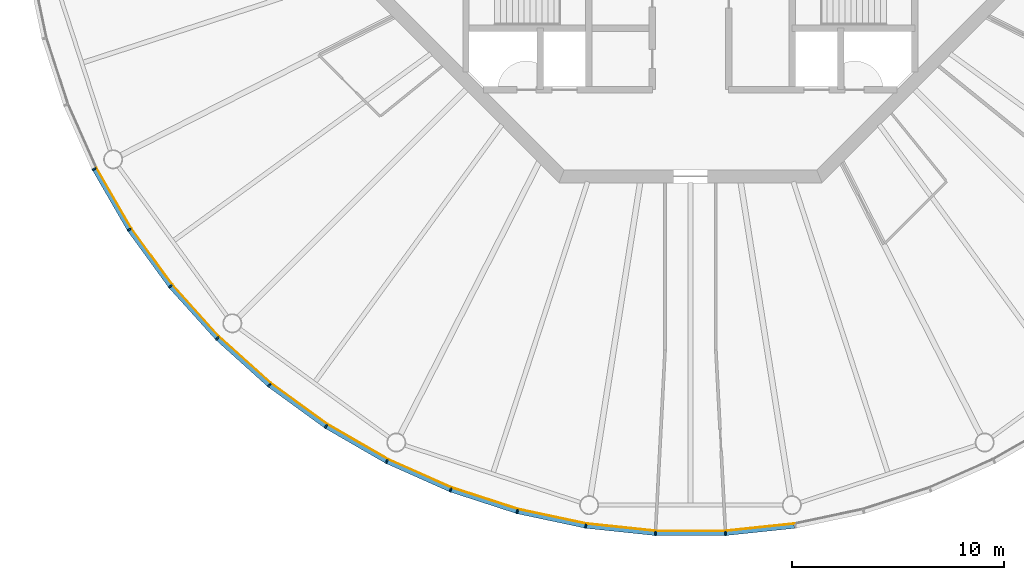
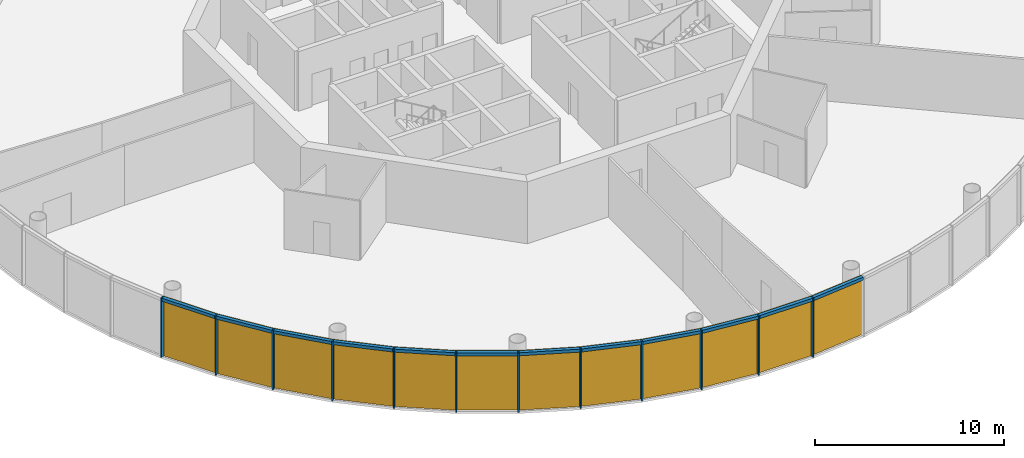
# One storey, part 7 of 13: 24 members, 4 curtain walls.
"""IFC4 building model written with IfcOpenShell, lengths in metres."""

import ifcopenshell
import ifcopenshell.guid

model = None  # the IFC model being written
_history = None  # IfcOwnerHistory: only IFC2X3 demands one
_inside = {}  # id of a spatial element -> (the spatial element, [elements in it])
_under = {}  # id of a project, library or spatial element -> (it, [spatial elements below it])
_declared = {}  # id of a project -> (the project, [libraries it declares])
_typed = {}  # id of a type object -> (the type object, [elements of that type])
_made_of = {}  # id of a material, layer set ... -> (it, [elements and type objects made of it])


def new_model(schema):
    """Start an empty IFC model of exactly this schema.

    Asked for "IFC4X3", IfcOpenShell would pick the latest addendum, in which some entities
    have other attributes; the version numbers below select the first issue.
    IFC2X3 requires an IfcOwnerHistory on every rooted entity: one is made here for all.
    """
    global model, _history
    if schema == "IFC4X3":
        model = ifcopenshell.file(schema_version=(4, 3, 0, 0))
    else:
        model = ifcopenshell.file(schema=schema)
    _inside.clear()
    _under.clear()
    _declared.clear()
    _typed.clear()
    _made_of.clear()
    _history = None
    if model.schema == "IFC2X3":
        org = make("IfcOrganization", Name="unknown")
        user = make(
            "IfcPersonAndOrganization",
            ThePerson=make("IfcPerson", FamilyName="unknown"),
            TheOrganization=org,
        )
        app = make(
            "IfcApplication",
            ApplicationDeveloper=org,
            Version="unknown",
            ApplicationFullName="unknown",
            ApplicationIdentifier="unknown",
        )
        _history = make(
            "IfcOwnerHistory",
            OwningUser=user,
            OwningApplication=app,
            ChangeAction="ADDED",
            CreationDate=0,
        )
    return model


def make(cls, **values):
    """One entity of the class cls with the attributes given. An attribute that is None is left unset."""
    return model.create_entity(
        cls, **{name: value for name, value in values.items() if value is not None}
    )


def rooted(cls, **values):
    """An entity with a GlobalId (a new one), such as an element, a storey or a relation."""
    return make(cls, GlobalId=ifcopenshell.guid.new(), OwnerHistory=_history, **values)


def si_unit(unit_type, name, prefix=None):
    """IfcSIUnit, for example si_unit("LENGTHUNIT", "METRE", prefix="MILLI")."""
    return make("IfcSIUnit", UnitType=unit_type, Prefix=prefix, Name=name)


def assignment(units):
    """IfcUnitAssignment: the units of a project."""
    return None if units is None else make("IfcUnitAssignment", Units=units)


def point(xyz):
    """IfcCartesianPoint."""
    return None if xyz is None else make("IfcCartesianPoint", Coordinates=xyz)


def direction(xyz):
    """IfcDirection."""
    return None if xyz is None else make("IfcDirection", DirectionRatios=xyz)


def frame(location, z_axis=None, x_axis=None):
    """IfcAxis2Placement3D, a coordinate frame: its origin and axes. An axis left out is left unset."""
    return make(
        "IfcAxis2Placement3D",
        Location=point(location),
        Axis=direction(z_axis),
        RefDirection=direction(x_axis),
    )


def frame_2d(location, x_axis=None):
    """IfcAxis2Placement2D, a coordinate frame in the plane: its origin and x axis."""
    return make(
        "IfcAxis2Placement2D", Location=point(location), RefDirection=direction(x_axis)
    )


def origin():
    """The frame at (0, 0, 0) with its axes left unset."""
    return frame((0.0, 0.0, 0.0))


def origin_2d():
    """The frame at (0, 0) in the plane with its x axis left unset."""
    return frame_2d((0.0, 0.0))


def place(relative_to, where):
    """IfcLocalPlacement: puts the frame where relative to a parent placement (None: the world)."""
    return make(
        "IfcLocalPlacement", PlacementRelTo=relative_to, RelativePlacement=where
    )


def context(
    kind, dimensions, precision=None, world=None, true_north=None, identifier=None
):
    """IfcGeometricRepresentationContext, for example the 3D "Model" context."""
    return make(
        "IfcGeometricRepresentationContext",
        ContextIdentifier=identifier,
        ContextType=kind,
        CoordinateSpaceDimension=dimensions,
        Precision=precision,
        WorldCoordinateSystem=world,
        TrueNorth=true_north,
    )


def subcontext(parent, identifier, kind, view, scale=None):
    """IfcGeometricRepresentationSubContext, for example "Body" below "Model"."""
    return make(
        "IfcGeometricRepresentationSubContext",
        ContextIdentifier=identifier,
        ContextType=kind,
        ParentContext=parent,
        TargetScale=scale,
        TargetView=view,
    )


def project(units=None, contexts=None):
    """IfcProject with its units and contexts."""
    return rooted(
        "IfcProject",
        Name="project",
        RepresentationContexts=contexts,
        UnitsInContext=assignment(units),
    )


def spatial(cls, under=None, at=None, **own):
    """A site, building, storey or space (cls), placed at a placement, below another one or the project."""
    s = rooted(cls, ObjectPlacement=at, **own)
    if under is not None:
        _under.setdefault(under.id(), (under, []))[1].append(s)
    return s


def polyline(points):
    """IfcPolyline through the points."""
    return make("IfcPolyline", Points=[point(p) for p in points])


def profile(cls, at=None, kind="AREA", **sizes):
    """A parametric profile (cls). Its sizes go by their IFC names, for example OverallWidth=200.0."""
    return make(cls, ProfileType=kind, Position=at, **sizes)


def rectangle(**sizes):
    """IfcRectangleProfileDef."""
    return profile("IfcRectangleProfileDef", **sizes)


def outline(outer, holes=None, kind="AREA"):
    """IfcArbitraryClosedProfileDef: a profile drawn as a closed curve; with holes, ...WithVoids."""
    if holes is None:
        return make("IfcArbitraryClosedProfileDef", ProfileType=kind, OuterCurve=outer)
    return make(
        "IfcArbitraryProfileDefWithVoids",
        ProfileType=kind,
        OuterCurve=outer,
        InnerCurves=holes,
    )


def extrude(swept, where, along, depth):
    """IfcExtrudedAreaSolid: the profile swept, set in the frame where, extruded along a direction by depth."""
    return make(
        "IfcExtrudedAreaSolid",
        SweptArea=swept,
        Position=where,
        ExtrudedDirection=direction(along),
        Depth=depth,
    )


def shape(context_of_items, identifier, shape_type, items):
    """IfcShapeRepresentation: the items that make up one representation, for example the "Body"."""
    return make(
        "IfcShapeRepresentation",
        ContextOfItems=context_of_items,
        RepresentationIdentifier=identifier,
        RepresentationType=shape_type,
        Items=items,
    )


def material(Name=None, Category=None):
    """IfcMaterial."""
    return make("IfcMaterial", Name=Name, Category=Category)


def layer(
    of_material, thickness, ventilated=None, Name=None, Category=None, Priority=None
):
    """IfcMaterialLayer: one layer of a wall or slab, of a material (None: an air gap)."""
    return make(
        "IfcMaterialLayer",
        Material=of_material,
        LayerThickness=thickness,
        IsVentilated=ventilated,
        Name=Name,
        Category=Category,
        Priority=Priority,
    )


def layer_set(layers, Name=None):
    """IfcMaterialLayerSet."""
    return make("IfcMaterialLayerSet", MaterialLayers=layers, LayerSetName=Name)


def material_profile(
    of_material, cross_section, Name=None, Category=None, Priority=None
):
    """IfcMaterialProfile: a cross section and its material."""
    return make(
        "IfcMaterialProfile",
        Name=Name,
        Material=of_material,
        Profile=cross_section,
        Priority=Priority,
        Category=Category,
    )


def profile_set(profiles, Name=None, composite=None):
    """IfcMaterialProfileSet."""
    return make(
        "IfcMaterialProfileSet",
        Name=Name,
        MaterialProfiles=profiles,
        CompositeProfile=composite,
    )


def made_of(thing, what):
    """Note that an element or type object is made of a material, layer set ...; save() writes the relation."""
    if what is not None:
        _made_of.setdefault(what.id(), (what, []))[1].append(thing)
    return thing


def type_object(cls, material=None, **own):
    """A type object (cls), such as IfcWallType, which elements share."""
    return made_of(rooted(cls, **own), material)


def element(
    cls,
    number,
    at=None,
    inside=None,
    cuts=None,
    type_object=None,
    material=None,
    context=None,
    identifier="Body",
    shape_type=None,
    held_by="IfcProductDefinitionShape",
    body=None,
    shapes=None,
    **own,
):
    """One element of the class cls, such as IfcWall. Its Tag is "e" and its number.

    at: its placement. inside: the storey or other place that contains it. cuts: it is an
    opening in that element (IfcRelVoidsElement). A single representation is given by context,
    identifier, shape_type and body (its items); several are given by shapes. held_by: the class
    of the entity that holds the representations. save() writes the other relations.
    """
    e = rooted(cls, Tag="e%d" % number, ObjectPlacement=at, **own)
    if body is not None:
        shapes = [shape(context, identifier, shape_type, body)]
    if shapes is not None:
        e.Representation = make(held_by, Representations=shapes)
    if inside is not None:
        _inside.setdefault(inside.id(), (inside, []))[1].append(e)
    if cuts is not None:
        rooted(
            "IfcRelVoidsElement", RelatingBuildingElement=cuts, RelatedOpeningElement=e
        )
    if type_object is not None:
        _typed.setdefault(type_object.id(), (type_object, []))[1].append(e)
    return made_of(e, material)


def aggregate(whole, parts):
    """IfcRelAggregates: a whole, such as a stair, and the parts it consists of."""
    return rooted("IfcRelAggregates", RelatingObject=whole, RelatedObjects=parts)


def save(model, path):
    """Write the relations noted so far, then the file.

    IfcRelAggregates (storeys below a building ...), IfcRelContainedInSpatialStructure (elements
    in a storey), IfcRelDefinesByType, IfcRelAssociatesMaterial and IfcRelDeclares: one each for
    every whole, place, type object, material and project.
    """
    for whole, parts in _under.values():
        aggregate(whole, parts)
    for where, things in _inside.values():
        rooted(
            "IfcRelContainedInSpatialStructure",
            RelatedElements=things,
            RelatingStructure=where,
        )
    for kind, things in _typed.values():
        rooted("IfcRelDefinesByType", RelatedObjects=things, RelatingType=kind)
    for what, things in _made_of.values():
        rooted("IfcRelAssociatesMaterial", RelatedObjects=things, RelatingMaterial=what)
    for by, libraries in _declared.values():
        rooted("IfcRelDeclares", RelatingContext=by, RelatedDefinitions=libraries)
    model.write(path)


model = new_model("IFC4")

# Units and contexts
model_context = context("Model", 3, precision=1e-05, world=origin(), true_north=direction((0.0, 1.0)))
body_context = subcontext(model_context, "Body", "Model", "MODEL_VIEW")
ifc_project = project(units=[si_unit("LENGTHUNIT", "METRE"), si_unit("AREAUNIT", "SQUARE_METRE"), si_unit("VOLUMEUNIT", "CUBIC_METRE"), si_unit("PLANEANGLEUNIT", "RADIAN"), si_unit("MASSUNIT", "GRAM", prefix="KILO")], contexts=[model_context])

# Member
ifc_material_1 = material(Name="Anodised aluminium", Category="aluminium")
ifc_material_profile_1 = material_profile(ifc_material_1, rectangle(XDim=0.070068359375, YDim=0.205078125, at=origin_2d()), Name="Mullion 70 x 205 mm anodised aluminium")
ifc_profile_set_1 = profile_set([ifc_material_profile_1], Name="Anodised aluminium")
member_type_1 = type_object("IfcMemberType", Name="Mullion 70 x 205 mm anodised aluminium", PredefinedType="MULLION", material=ifc_profile_set_1)
site_placement = place(None, origin())
building_placement = place(site_placement, origin())
storey_placement = place(building_placement, frame((0.0, 0.0, 348.0)))
member_1_placement = place(storey_placement, frame((61.842041015625, 65.65283203125, 0.0), z_axis=(0.0, 0.0, 1.0), x_axis=(0.45399049974, -0.891006524188, 0.0)))
member_1 = element("IfcMember", 1, at=member_1_placement, type_object=member_type_1, Name="MULLION L80-33", PredefinedType="MULLION", context=body_context, shape_type="SweptSolid", body=[
    extrude(rectangle(XDim=0.070068359375, YDim=0.205078125, at=origin_2d()), origin(), (0.0, 0.0, 1.0), 3.85009765625),
])

member_2_placement = place(storey_placement, frame((63.495849609375, 62.7880859375, 0.0), z_axis=(0.0, 0.0, 1.0), x_axis=(0.544639035015, -0.838670567945, 0.0)))
member_2 = element("IfcMember", 2, at=member_2_placement, type_object=member_type_1, Name="MULLION L80-34", PredefinedType="MULLION", context=body_context, shape_type="SweptSolid", body=[
    extrude(rectangle(XDim=0.070068359375, YDim=0.205078125, at=origin_2d()), origin(), (0.0, 0.0, 1.0), 3.85009765625),
])

member_3_placement = place(storey_placement, frame((65.440185546875, 60.11181640625, 0.0), z_axis=(0.0, 0.0, 1.0), x_axis=(0.62932039105, -0.777145961457, 0.0)))
member_3 = element("IfcMember", 3, at=member_3_placement, type_object=member_type_1, Name="MULLION L80-35", PredefinedType="MULLION", context=body_context, shape_type="SweptSolid", body=[
    extrude(rectangle(XDim=0.070068359375, YDim=0.205078125, at=origin_2d()), origin(), (0.0, 0.0, 1.0), 3.85009765625),
])

member_4_placement = place(storey_placement, frame((67.653564453125, 57.653564453125, 0.0), z_axis=(0.0, 0.0, 1.0), x_axis=(0.707106781187, -0.707106781187, 0.0)))
member_4 = element("IfcMember", 4, at=member_4_placement, type_object=member_type_1, Name="MULLION L80-36", PredefinedType="MULLION", context=body_context, shape_type="SweptSolid", body=[
    extrude(rectangle(XDim=0.070068359375, YDim=0.205078125, at=origin_2d()), origin(), (0.0, 0.0, 1.0), 3.85009765625),
])

member_5_placement = place(storey_placement, frame((70.11181640625, 55.440185546875, 0.0), z_axis=(0.0, 0.0, 1.0), x_axis=(0.777145961457, -0.62932039105, 0.0)))
member_5 = element("IfcMember", 5, at=member_5_placement, type_object=member_type_1, Name="MULLION L80-37", PredefinedType="MULLION", context=body_context, shape_type="SweptSolid", body=[
    extrude(rectangle(XDim=0.070068359375, YDim=0.205078125, at=origin_2d()), origin(), (0.0, 0.0, 1.0), 3.85009765625),
])

member_6_placement = place(storey_placement, frame((72.7880859375, 53.495849609375, 0.0), z_axis=(0.0, 0.0, 1.0), x_axis=(0.838670567945, -0.544639035015, 0.0)))
member_6 = element("IfcMember", 6, at=member_6_placement, type_object=member_type_1, Name="MULLION L80-38", PredefinedType="MULLION", context=body_context, shape_type="SweptSolid", body=[
    extrude(rectangle(XDim=0.070068359375, YDim=0.205078125, at=origin_2d()), origin(), (0.0, 0.0, 1.0), 3.85009765625),
])

member_7_placement = place(storey_placement, frame((75.65283203125, 51.842041015625, 0.0), z_axis=(0.0, 0.0, 1.0), x_axis=(0.891006524188, -0.45399049974, 0.0)))
member_7 = element("IfcMember", 7, at=member_7_placement, type_object=member_type_1, Name="MULLION L80-39", PredefinedType="MULLION", context=body_context, shape_type="SweptSolid", body=[
    extrude(rectangle(XDim=0.070068359375, YDim=0.205078125, at=origin_2d()), origin(), (0.0, 0.0, 1.0), 3.85009765625),
])

member_8_placement = place(storey_placement, frame((78.674560546875, 50.49658203125, 0.0), z_axis=(0.0, 0.0, 1.0), x_axis=(0.933580426497, -0.358367949545, 0.0)))
member_8 = element("IfcMember", 8, at=member_8_placement, type_object=member_type_1, Name="MULLION L80-40", PredefinedType="MULLION", context=body_context, shape_type="SweptSolid", body=[
    extrude(rectangle(XDim=0.070068359375, YDim=0.205078125, at=origin_2d()), origin(), (0.0, 0.0, 1.0), 3.85009765625),
])

member_9_placement = place(storey_placement, frame((81.820556640625, 49.474365234375, 0.0), z_axis=(0.0, 0.0, 1.0), x_axis=(0.965925826289, -0.258819045103, 0.0)))
member_9 = element("IfcMember", 9, at=member_9_placement, type_object=member_type_1, Name="MULLION L80-41", PredefinedType="MULLION", context=body_context, shape_type="SweptSolid", body=[
    extrude(rectangle(XDim=0.070068359375, YDim=0.205078125, at=origin_2d()), origin(), (0.0, 0.0, 1.0), 3.85009765625),
])

member_10_placement = place(storey_placement, frame((85.056396484375, 48.78662109375, 0.0), z_axis=(0.0, 0.0, 1.0), x_axis=(0.987688340595, -0.15643446504, 0.0)))
member_10 = element("IfcMember", 10, at=member_10_placement, type_object=member_type_1, Name="MULLION L80-42", PredefinedType="MULLION", context=body_context, shape_type="SweptSolid", body=[
    extrude(rectangle(XDim=0.070068359375, YDim=0.205078125, at=origin_2d()), origin(), (0.0, 0.0, 1.0), 3.85009765625),
])

member_11_placement = place(storey_placement, frame((88.345947265625, 48.44091796875, 0.0), z_axis=(0.0, 0.0, 1.0), x_axis=(0.998629534755, -0.052335956243, 0.0)))
member_11 = element("IfcMember", 11, at=member_11_placement, type_object=member_type_1, Name="MULLION L80-43", PredefinedType="MULLION", context=body_context, shape_type="SweptSolid", body=[
    extrude(rectangle(XDim=0.070068359375, YDim=0.205078125, at=origin_2d()), origin(), (0.0, 0.0, 1.0), 3.85009765625),
])

member_12_placement = place(storey_placement, frame((91.654052734375, 48.44091796875, 0.0), z_axis=(0.0, 0.0, 1.0), x_axis=(0.998629534755, 0.052335956243, 0.0)))
member_12 = element("IfcMember", 12, at=member_12_placement, type_object=member_type_1, Name="MULLION L80-44", PredefinedType="MULLION", context=body_context, shape_type="SweptSolid", body=[
    extrude(rectangle(XDim=0.070068359375, YDim=0.205078125, at=origin_2d()), origin(), (0.0, 0.0, 1.0), 3.85009765625),
])

ifc_material_2 = material(Name="Anodised aluminium", Category="aluminium")
ifc_material_profile_2 = material_profile(ifc_material_2, rectangle(XDim=0.205078125, YDim=0.195068359375, at=origin_2d()), Name="Transom 195 x 205 mm anodised aluminium")
ifc_profile_set_2 = profile_set([ifc_material_profile_2], Name="Anodised aluminium")
member_type_2 = type_object("IfcMemberType", Name="Transom 195 x 205 mm anodised aluminium", PredefinedType="USERDEFINED", material=ifc_profile_set_2)
member_13_placement = place(storey_placement, frame((61.862060546875, 65.61767578125, 3.75244140625), z_axis=(0.500004055213, -0.866023062494, 0.0), x_axis=(0.866023062494, 0.500004055213, 0.0)))
member_13 = element("IfcMember", 13, at=member_13_placement, type_object=member_type_2, Name="TRANSOM L80-33", ObjectType="TRANSOM", PredefinedType="USERDEFINED", context=body_context, shape_type="SweptSolid", body=[
    extrude(rectangle(XDim=0.205078125, YDim=0.195068359375, at=origin_2d()), origin(), (0.0, 0.0, 1.0), 3.22705078125),
])

member_14_placement = place(storey_placement, frame((63.51953125, 62.75537109375, 3.75244140625), z_axis=(0.587802790201, -0.809004252048, 0.0), x_axis=(0.809004252048, 0.587802790201, 0.0)))
member_14 = element("IfcMember", 14, at=member_14_placement, type_object=member_type_2, Name="TRANSOM L80-34", ObjectType="TRANSOM", PredefinedType="USERDEFINED", context=body_context, shape_type="SweptSolid", body=[
    extrude(rectangle(XDim=0.205078125, YDim=0.195068359375, at=origin_2d()), origin(), (0.0, 0.0, 1.0), 3.227294921875),
])

member_15_placement = place(storey_placement, frame((65.467041015625, 60.081787109375, 3.75244140625), z_axis=(0.669144438484, -0.743132370743, 0.0), x_axis=(0.743132370743, 0.669144438484, 0.0)))
member_15 = element("IfcMember", 15, at=member_15_placement, type_object=member_type_2, Name="TRANSOM L80-35", ObjectType="TRANSOM", PredefinedType="USERDEFINED", context=body_context, shape_type="SweptSolid", body=[
    extrude(rectangle(XDim=0.205078125, YDim=0.195068359375, at=origin_2d()), origin(), (0.0, 0.0, 1.0), 3.22705078125),
])

member_16_placement = place(storey_placement, frame((67.68359375, 57.62646484375, 3.75244140625), z_axis=(0.743132370743, -0.669144438484, 0.0), x_axis=(0.669144438484, 0.743132370743, 0.0)))
member_16 = element("IfcMember", 16, at=member_16_placement, type_object=member_type_2, Name="TRANSOM L80-36", ObjectType="TRANSOM", PredefinedType="USERDEFINED", context=body_context, shape_type="SweptSolid", body=[
    extrude(rectangle(XDim=0.205078125, YDim=0.195068359375, at=origin_2d()), origin(), (0.0, 0.0, 1.0), 3.22705078125),
])

member_17_placement = place(storey_placement, frame((70.14453125, 55.41650390625, 3.75244140625), z_axis=(0.809004252048, -0.587802790201, 0.0), x_axis=(0.587802790201, 0.809004252048, 0.0)))
member_17 = element("IfcMember", 17, at=member_17_placement, type_object=member_type_2, Name="TRANSOM L80-37", ObjectType="TRANSOM", PredefinedType="USERDEFINED", context=body_context, shape_type="SweptSolid", body=[
    extrude(rectangle(XDim=0.205078125, YDim=0.195068359375, at=origin_2d()), origin(), (0.0, 0.0, 1.0), 3.227294921875),
])

member_18_placement = place(storey_placement, frame((72.822998046875, 53.4755859375, 3.75244140625), z_axis=(0.866023062494, -0.500004055213, 0.0), x_axis=(0.500004055213, 0.866023062494, 0.0)))
member_18 = element("IfcMember", 18, at=member_18_placement, type_object=member_type_2, Name="TRANSOM L80-38", ObjectType="TRANSOM", PredefinedType="USERDEFINED", context=body_context, shape_type="SweptSolid", body=[
    extrude(rectangle(XDim=0.205078125, YDim=0.195068359375, at=origin_2d()), origin(), (0.0, 0.0, 1.0), 3.22705078125),
])

member_19_placement = place(storey_placement, frame((75.689697265625, 51.825439453125, 3.75244140625), z_axis=(0.913521178731, -0.406791170024, 0.0), x_axis=(0.406791170024, 0.913521178731, 0.0)))
member_19 = element("IfcMember", 19, at=member_19_placement, type_object=member_type_2, Name="TRANSOM L80-39", ObjectType="TRANSOM", PredefinedType="USERDEFINED", context=body_context, shape_type="SweptSolid", body=[
    extrude(rectangle(XDim=0.205078125, YDim=0.195068359375, at=origin_2d()), origin(), (0.0, 0.0, 1.0), 3.22705078125),
])

member_20_placement = place(storey_placement, frame((78.713134765625, 50.48388671875, 3.75244140625), z_axis=(0.951046855117, -0.309046726844, 0.0), x_axis=(0.309046726844, 0.951046855117, 0.0)))
member_20 = element("IfcMember", 20, at=member_20_placement, type_object=member_type_2, Name="TRANSOM L80-40", ObjectType="TRANSOM", PredefinedType="USERDEFINED", context=body_context, shape_type="SweptSolid", body=[
    extrude(rectangle(XDim=0.205078125, YDim=0.195068359375, at=origin_2d()), origin(), (0.0, 0.0, 1.0), 3.22705078125),
])

member_21_placement = place(storey_placement, frame((81.860107421875, 49.4658203125, 3.75244140625), z_axis=(0.978153082647, -0.207885898771, 0.0), x_axis=(0.207885898771, 0.978153082647, 0.0)))
member_21 = element("IfcMember", 21, at=member_21_placement, type_object=member_type_2, Name="TRANSOM L80-41", ObjectType="TRANSOM", PredefinedType="USERDEFINED", context=body_context, shape_type="SweptSolid", body=[
    extrude(rectangle(XDim=0.205078125, YDim=0.195068359375, at=origin_2d()), origin(), (0.0, 0.0, 1.0), 3.227294921875),
])

member_22_placement = place(storey_placement, frame((85.096435546875, 48.7822265625, 3.75244140625), z_axis=(0.994519537956, -0.104550890115, 0.0), x_axis=(0.104550890115, 0.994519537956, 0.0)))
member_22 = element("IfcMember", 22, at=member_22_placement, type_object=member_type_2, Name="TRANSOM L80-42", ObjectType="TRANSOM", PredefinedType="USERDEFINED", context=body_context, shape_type="SweptSolid", body=[
    extrude(rectangle(XDim=0.205078125, YDim=0.195068359375, at=origin_2d()), origin(), (0.0, 0.0, 1.0), 3.22705078125),
])

member_23_placement = place(storey_placement, frame((88.386474609375, 48.440673828125, 3.75244140625), z_axis=(1.0, 0.0, 0.0), x_axis=(0.0, 1.0, 0.0)))
member_23 = element("IfcMember", 23, at=member_23_placement, type_object=member_type_2, Name="TRANSOM L80-43", ObjectType="TRANSOM", PredefinedType="USERDEFINED", context=body_context, shape_type="SweptSolid", body=[
    extrude(rectangle(XDim=0.205078125, YDim=0.195068359375, at=origin_2d()), origin(), (0.0, 0.0, 1.0), 3.22705078125),
])

member_24_placement = place(storey_placement, frame((91.694091796875, 48.44482421875, 3.75244140625), z_axis=(0.994519537956, 0.104550890115, 0.0), x_axis=(-0.104550890115, 0.994519537956, 0.0)))
member_24 = element("IfcMember", 24, at=member_24_placement, type_object=member_type_2, Name="TRANSOM L80-44", ObjectType="TRANSOM", PredefinedType="USERDEFINED", context=body_context, shape_type="SweptSolid", body=[
    extrude(rectangle(XDim=0.205078125, YDim=0.195068359375, at=origin_2d()), origin(), (0.0, 0.0, 1.0), 3.22705078125),
])

# Site, building, storey
site = spatial("IfcSite", under=ifc_project, at=site_placement, CompositionType="ELEMENT")
building = spatial("IfcBuilding", under=site, at=building_placement, Name="Entoto Ring Tower", CompositionType="ELEMENT")
storey = spatial("IfcBuildingStorey", under=building, at=storey_placement, Name="L80", CompositionType="ELEMENT", Elevation=348.0)

# Curtain wall
ifc_material_3 = material(Name="Clear low-iron glass", Category="glass")
ifc_layer = layer(ifc_material_3, 0.035888671875)
ifc_layer_set = layer_set([ifc_layer], Name="Clear low-iron glass")
curtain_wall_type = type_object("IfcCurtainWallType", Name="Curtain wall system CW6 glazing 36 mm", PredefinedType="NOTDEFINED", material=ifc_layer_set)
curtain_wall_1_placement = place(storey_placement, origin())
curtain_wall_1 = element("IfcCurtainWall", 25, at=curtain_wall_1_placement, inside=storey, type_object=curtain_wall_type, Name="CW6 L80-12", PredefinedType="NOTDEFINED", context=body_context, shape_type="SweptSolid", body=[
    extrude(outline(polyline([(61.933349609375, 65.69921875), (63.581787109375, 62.84375), (65.52001953125, 60.176513671875), (67.72607421875, 57.72607421875), (67.751708984375, 57.751708984375), (65.5478515625, 60.198974609375), (63.612060546875, 62.863525390625), (61.96533203125, 65.715576171875), (61.933349609375, 65.69921875)])), origin(), (0.0, 0.0, 1.0), 3.85009765625),
])

aggregate(curtain_wall_1, [member_1, member_2, member_3, member_13, member_14, member_15])

curtain_wall_2_placement = place(storey_placement, origin())
curtain_wall_2 = element("IfcCurtainWall", 26, at=curtain_wall_2_placement, inside=storey, type_object=curtain_wall_type, Name="CW6 L80-13", PredefinedType="NOTDEFINED", context=body_context, shape_type="SweptSolid", body=[
    extrude(outline(polyline([(67.72607421875, 57.72607421875), (70.176513671875, 55.52001953125), (72.84375, 53.581787109375), (75.69921875, 51.933349609375), (75.715576171875, 51.96533203125), (72.863525390625, 53.612060546875), (70.198974609375, 55.5478515625), (67.751708984375, 57.751708984375), (67.72607421875, 57.72607421875)])), origin(), (0.0, 0.0, 1.0), 3.85009765625),
])

aggregate(curtain_wall_2, [member_4, member_5, member_6, member_16, member_17, member_18])

curtain_wall_3_placement = place(storey_placement, origin())
curtain_wall_3 = element("IfcCurtainWall", 27, at=curtain_wall_3_placement, inside=storey, type_object=curtain_wall_type, Name="CW6 L80-14", PredefinedType="NOTDEFINED", context=body_context, shape_type="SweptSolid", body=[
    extrude(outline(polyline([(75.69921875, 51.933349609375), (78.71142578125, 50.59228515625), (81.84716796875, 49.5732421875), (85.072265625, 48.8876953125), (85.077880859375, 48.92333984375), (81.8564453125, 49.608154296875), (78.724365234375, 50.6259765625), (75.715576171875, 51.96533203125), (75.69921875, 51.933349609375)])), origin(), (0.0, 0.0, 1.0), 3.85009765625),
])

aggregate(curtain_wall_3, [member_7, member_8, member_9, member_19, member_20, member_21])

curtain_wall_4_placement = place(storey_placement, origin())
curtain_wall_4 = element("IfcCurtainWall", 28, at=curtain_wall_4_placement, inside=storey, type_object=curtain_wall_type, Name="CW6 L80-15", PredefinedType="NOTDEFINED", context=body_context, shape_type="SweptSolid", body=[
    extrude(outline(polyline([(85.072265625, 48.8876953125), (88.351318359375, 48.543212890625), (91.648681640625, 48.543212890625), (94.927734375, 48.8876953125), (94.922119140625, 48.92333984375), (91.646728515625, 48.5791015625), (88.353271484375, 48.5791015625), (85.077880859375, 48.92333984375), (85.072265625, 48.8876953125)])), origin(), (0.0, 0.0, 1.0), 3.85009765625),
])

aggregate(curtain_wall_4, [member_10, member_11, member_12, member_22, member_23, member_24])

save(model, "model.ifc")
